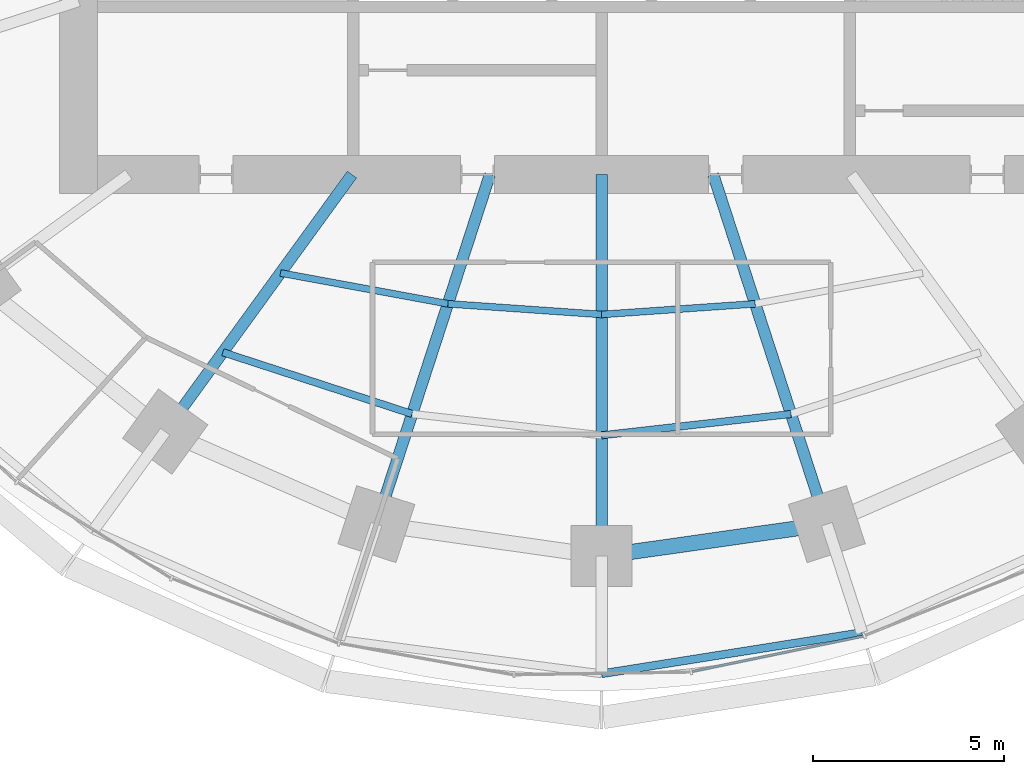
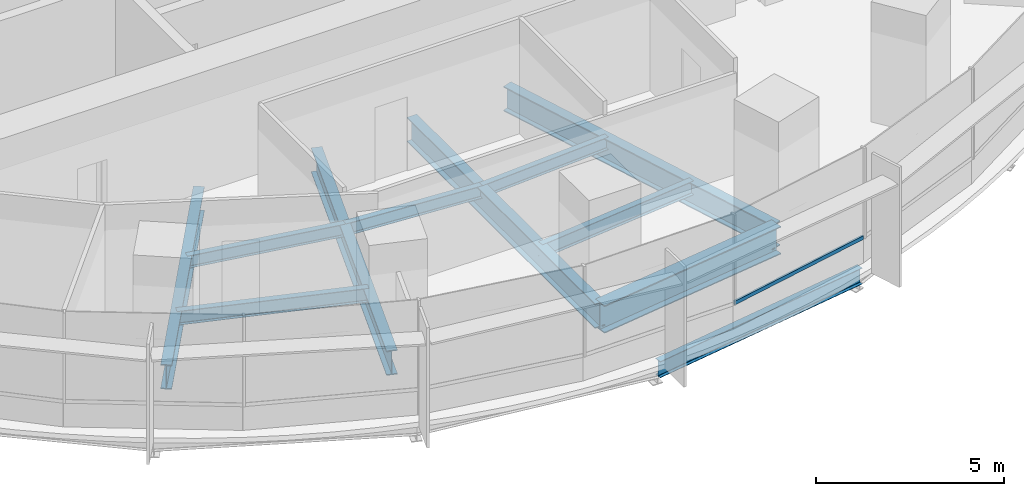
# One storey, part 3 of 14: 11 beams, 1 member, 1 element without a shape of its own.
"""IFC4 building model written with IfcOpenShell, lengths in metres."""

from ifc_helpers import new_model, si_unit, direction, frame, origin, origin_2d, place, context, subcontext, project, spatial, rectangle, i_section, extrude, material, material_profile, profile_set, type_object, element, aggregate, save


model = new_model("IFC4")

# Units and contexts
model_context = context("Model", 3, precision=1e-05, world=origin(), true_north=direction((0.0, 1.0)))
body_context = subcontext(model_context, "Body", "Model", "MODEL_VIEW")
ifc_project = project(units=[si_unit("LENGTHUNIT", "METRE"), si_unit("AREAUNIT", "SQUARE_METRE"), si_unit("VOLUMEUNIT", "CUBIC_METRE"), si_unit("PLANEANGLEUNIT", "RADIAN"), si_unit("MASSUNIT", "GRAM", prefix="KILO")], contexts=[model_context])

# Site, building, storey
site_placement = place(None, origin())
site = spatial("IfcSite", under=ifc_project, at=site_placement, CompositionType="ELEMENT")
building_placement = place(site_placement, origin())
building = spatial("IfcBuilding", under=site, at=building_placement, Name="Marramba Exchange Tower", CompositionType="ELEMENT")
storey_placement = place(building_placement, frame((0.0, 0.0, 158.699951171875)))
storey = spatial("IfcBuildingStorey", under=building, at=storey_placement, Name="L38", CompositionType="ELEMENT", Elevation=158.699951171875)

# Beams
ifc_material_1 = material(Name="Steel AS/NZS 3679.1 grade 300", Category="steel")
ifc_material_profile_1 = material_profile(ifc_material_1, i_section(OverallWidth=0.177978515625, OverallDepth=0.406005859375, WebThickness=0.0078125, FlangeThickness=0.0126953125, FilletRadius=0.011474609375, at=origin_2d()), Name="410UB59.7")
ifc_profile_set_1 = profile_set([ifc_material_profile_1], Name="Steel AS/NZS 3679.1 grade 300")
beam_type_1 = type_object("IfcBeamType", Name="Floor joist 410UB59.7", PredefinedType="JOIST", material=ifc_profile_set_1)
beam_1_placement = place(storey_placement, frame((-8.41162109375, -11.57763671875, -0.363037109375), z_axis=(0.983455754421, -0.181148500119, 0.0), x_axis=(0.181148500119, 0.983455754421, 0.0)))
element("IfcBeam", 1, at=beam_1_placement, inside=storey, type_object=beam_type_1, Name="Joist L38 bay 14 row 1", PredefinedType="JOIST", context=body_context, shape_type="SweptSolid", body=[
    extrude(i_section(OverallWidth=0.177978515625, OverallDepth=0.406005859375, WebThickness=0.0078125, FlangeThickness=0.0126953125, FilletRadius=0.011474609375, at=origin_2d()), origin(), (0.0, 0.0, 1.0), 4.4609375),
])
for number, where, z_axis, x_axis, name in (
    (2, (-4.0244140625, -12.3857421875, -0.363037109375), (0.99759625901, -0.069294328838, 0.0), (0.069294328838, 0.99759625901, 0.0), "Joist L38 bay 15 row 1"),
    (3, (0.0, -12.665283203125, -0.363037109375), (0.99759625901, 0.069294328838, 0.0), (-0.069294328838, 0.99759625901, 0.0), "Joist L38 bay 16 row 1"),
):
    element("IfcBeam", number, at=place(storey_placement, frame(where, z_axis=z_axis, x_axis=x_axis)), inside=storey, type_object=beam_type_1, Name=name, PredefinedType="JOIST", context=body_context, shape_type="SweptSolid", body=[
        extrude(i_section(OverallWidth=0.177978515625, OverallDepth=0.406005859375, WebThickness=0.0078125, FlangeThickness=0.0126953125, FilletRadius=0.011474609375, at=origin_2d()), origin(), (0.0, 0.0, 1.0), 4.0341796875),
    ])
ifc_material_profile_2 = material_profile(ifc_material_1, i_section(OverallWidth=0.18994140625, OverallDepth=0.4541015625, WebThickness=0.008544921875, FlangeThickness=0.0126953125, FilletRadius=0.011474609375, at=origin_2d()), Name="460UB67.1")
ifc_profile_set_2 = profile_set([ifc_material_profile_2], Name="Steel AS/NZS 3679.1 grade 300")
beam_type_2 = type_object("IfcBeamType", Name="Floor joist 460UB67.1", PredefinedType="JOIST", material=ifc_profile_set_2)
beam_2_placement = place(storey_placement, frame((-9.9208984375, -13.655029296875, -0.386962890625), z_axis=(0.950764024931, -0.309915744834, 0.0), x_axis=(0.309915744834, 0.950764024931, 0.0)))
element("IfcBeam", 4, at=beam_2_placement, inside=storey, type_object=beam_type_2, Name="Joist L38 bay 14 row 2", PredefinedType="JOIST", context=body_context, shape_type="SweptSolid", body=[
    extrude(i_section(OverallWidth=0.18994140625, OverallDepth=0.4541015625, WebThickness=0.008544921875, FlangeThickness=0.0126953125, FilletRadius=0.011474609375, at=origin_2d()), origin(), (0.0, 0.0, 1.0), 5.2158203125),
])
beam_3_placement = place(storey_placement, frame((0.0, -15.83056640625, -0.386962890625), z_axis=(0.993712018573, 0.111966174106, 0.0), x_axis=(-0.111966174106, 0.993712018573, 0.0)))
element("IfcBeam", 5, at=beam_3_placement, inside=storey, type_object=beam_type_2, Name="Joist L38 bay 16 row 2", PredefinedType="JOIST", context=body_context, shape_type="SweptSolid", body=[
    extrude(i_section(OverallWidth=0.18994140625, OverallDepth=0.4541015625, WebThickness=0.008544921875, FlangeThickness=0.0126953125, FilletRadius=0.011474609375, at=origin_2d()), origin(), (0.0, 0.0, 1.0), 4.993408203125),
])

# Curtain wall, member
ifc_material_2 = material(Name="Aluminium framing, bronze anodised", Category="aluminium")
curtain_wall_type = type_object("IfcCurtainWallType", Name="Office ribbon curtain wall", PredefinedType="USERDEFINED", material=ifc_material_2)
curtain_wall_placement = place(storey_placement, origin())
curtain_wall = element("IfcCurtainWall", 6, at=curtain_wall_placement, inside=storey, type_object=curtain_wall_type, Name="Curtain wall CW4 L38 F21-F25", ObjectType="RIBBON CURTAIN WALL", PredefinedType="USERDEFINED")
ifc_material_3 = material(Name="Aluminium transom, bronze anodised", Category="aluminium")
ifc_material_profile_3 = material_profile(ifc_material_3, rectangle(XDim=0.06005859375, YDim=0.1201171875, at=origin_2d()), Name="CW4 transom 60x120")
ifc_profile_set_3 = profile_set([ifc_material_profile_3], Name="Aluminium transom, bronze anodised")
member_type = type_object("IfcMemberType", Name="Office ribbon curtain wall transom", PredefinedType="USERDEFINED", material=ifc_profile_set_3)
member_placement = place(storey_placement, frame((2.374267578125, -22.017822265625, 0.830078125), z_axis=(0.979310422034, 0.202363774661, 0.0), x_axis=(-0.202363774661, 0.979310422034, 0.0)))
member = element("IfcMember", 7, at=member_placement, type_object=member_type, Name="CW4 sill transom", ObjectType="TRANSOM", PredefinedType="USERDEFINED", context=body_context, shape_type="SweptSolid", body=[
    extrude(rectangle(XDim=0.06005859375, YDim=0.1201171875, at=origin_2d()), origin(), (0.0, 0.0, 1.0), 4.57373046875),
])
aggregate(curtain_wall, [member])

# Beams
ifc_material_4 = material(Name="Steel AS/NZS 3679.2 grade 300", Category="steel")
ifc_material_profile_4 = material_profile(ifc_material_4, i_section(OverallWidth=0.300048828125, OverallDepth=0.800048828125, WebThickness=0.013916015625, FlangeThickness=0.031982421875, at=origin_2d()), Name="800WB192")
ifc_profile_set_4 = profile_set([ifc_material_profile_4], Name="Steel AS/NZS 3679.2 grade 300")
beam_type_3 = type_object("IfcBeamType", Name="Radial girder 800WB192", PredefinedType="BEAM", material=ifc_profile_set_4)
beam_4_placement = place(storey_placement, frame((-6.538818359375, -9.0, -0.56005859375), z_axis=(-0.587787877172, -0.809015087282, 0.0), x_axis=(0.809015087282, -0.587787877172, 0.0)))
element("IfcBeam", 8, at=beam_4_placement, inside=storey, type_object=beam_type_3, Name="Radial girder L38 TC14", PredefinedType="BEAM", context=body_context, shape_type="SweptSolid", body=[
    extrude(i_section(OverallWidth=0.300048828125, OverallDepth=0.800048828125, WebThickness=0.013916015625, FlangeThickness=0.031982421875, at=origin_2d()), origin(), (0.0, 0.0, 1.0), 8.322021484375),
])
beam_5_placement = place(storey_placement, frame((-2.92431640625, -9.0, -0.56005859375), z_axis=(-0.309022428985, -0.951054750466, 0.0), x_axis=(0.951054750466, -0.309022428985, 0.0)))
element("IfcBeam", 9, at=beam_5_placement, inside=storey, type_object=beam_type_3, Name="Radial girder L38 TC15", PredefinedType="BEAM", context=body_context, shape_type="SweptSolid", body=[
    extrude(i_section(OverallWidth=0.300048828125, OverallDepth=0.800048828125, WebThickness=0.013916015625, FlangeThickness=0.031982421875, at=origin_2d()), origin(), (0.0, 0.0, 1.0), 9.628173828125),
])
beam_6_placement = place(storey_placement, frame((0.0, -9.0, -0.56005859375), z_axis=(0.0, -1.0, 0.0), x_axis=(1.0, 0.0, 0.0)))
element("IfcBeam", 10, at=beam_6_placement, inside=storey, type_object=beam_type_3, Name="Radial girder L38 TC16", PredefinedType="BEAM", context=body_context, shape_type="SweptSolid", body=[
    extrude(i_section(OverallWidth=0.300048828125, OverallDepth=0.800048828125, WebThickness=0.013916015625, FlangeThickness=0.031982421875, at=origin_2d()), origin(), (0.0, 0.0, 1.0), 9.99609375),
])
beam_7_placement = place(storey_placement, frame((2.92431640625, -9.0, -0.56005859375), z_axis=(0.309022428985, -0.951054750466, 0.0), x_axis=(0.951054750466, 0.309022428985, 0.0)))
element("IfcBeam", 11, at=beam_7_placement, inside=storey, type_object=beam_type_3, Name="Radial girder L38 TC17", PredefinedType="BEAM", context=body_context, shape_type="SweptSolid", body=[
    extrude(i_section(OverallWidth=0.300048828125, OverallDepth=0.800048828125, WebThickness=0.013916015625, FlangeThickness=0.031982421875, at=origin_2d()), origin(), (0.0, 0.0, 1.0), 9.628173828125),
])
ifc_material_profile_5 = material_profile(ifc_material_4, i_section(OverallWidth=0.39990234375, OverallDepth=0.89990234375, WebThickness=0.01611328125, FlangeThickness=0.031982421875, at=origin_2d()), Name="900WB282")
ifc_profile_set_5 = profile_set([ifc_material_profile_5], Name="Steel AS/NZS 3679.2 grade 300")
beam_type_4 = type_object("IfcBeamType", Name="Ring beam 900WB282", PredefinedType="SPANDREL", material=ifc_profile_set_5)
beam_8_placement = place(storey_placement, frame((0.0, -18.99609375, -0.60986328125), z_axis=(0.990036163016, 0.140813337152, 0.0), x_axis=(-0.140813337152, 0.990036163016, 0.0)))
element("IfcBeam", 12, at=beam_8_placement, inside=storey, type_object=beam_type_4, Name="Ring beam L38 TC16-TC17", PredefinedType="SPANDREL", context=body_context, shape_type="SweptSolid", body=[
    extrude(i_section(OverallWidth=0.39990234375, OverallDepth=0.89990234375, WebThickness=0.01611328125, FlangeThickness=0.031982421875, at=origin_2d()), origin(), (0.0, 0.0, 1.0), 5.958984375),
])
ifc_material_profile_6 = material_profile(ifc_material_1, i_section(OverallWidth=0.208984375, OverallDepth=0.528076171875, WebThickness=0.009521484375, FlangeThickness=0.01318359375, FilletRadius=0.013916015625, at=origin_2d()), Name="530UB82.0")
ifc_profile_set_6 = profile_set([ifc_material_profile_6], Name="Steel AS/NZS 3679.1 grade 300")
beam_type_5 = type_object("IfcBeamType", Name="Slab edge beam 530UB82.0", PredefinedType="SPANDREL", material=ifc_profile_set_6)
beam_9_placement = place(storey_placement, frame((0.0, -22.076904296875, -0.424072265625), z_axis=(0.987705008555, 0.15632919137, 0.0), x_axis=(-0.15632919137, 0.987705008555, 0.0)))
element("IfcBeam", 13, at=beam_9_placement, inside=storey, type_object=beam_type_5, Name="Slab edge beam L38 TC16-TC17", PredefinedType="SPANDREL", context=body_context, shape_type="SweptSolid", body=[
    extrude(i_section(OverallWidth=0.208984375, OverallDepth=0.528076171875, WebThickness=0.009521484375, FlangeThickness=0.01318359375, FilletRadius=0.013916015625, at=origin_2d()), origin(), (0.0, 0.0, 1.0), 6.907470703125),
])

save(model, "model.ifc")
